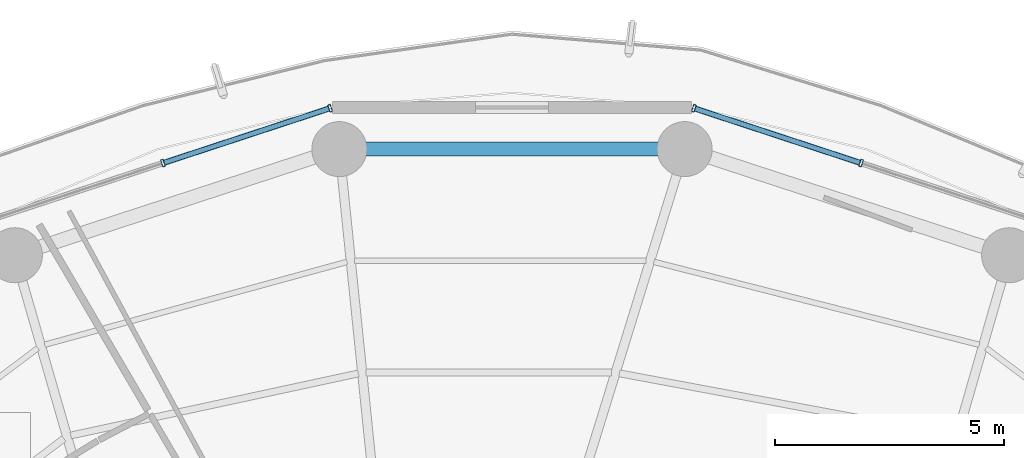
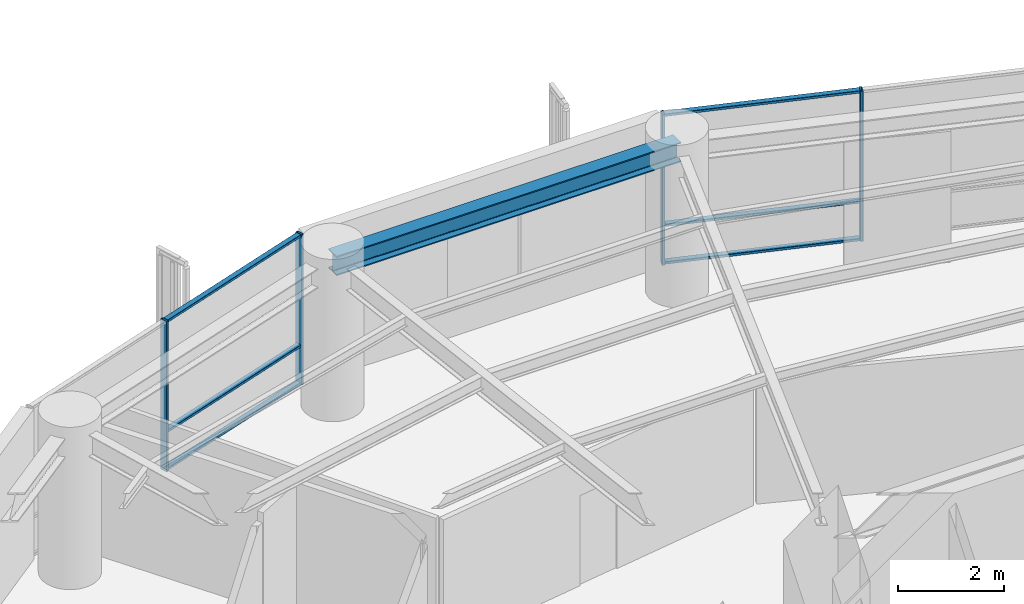
# One storey, part 18 of 27: 10 members, 1 beam, 2 elements without a shape of their own.
"""IFC4 building model written with IfcOpenShell, lengths in metres."""

from ifc_helpers import new_model, si_unit, direction, frame, origin, origin_2d, place, context, subcontext, project, spatial, hollow_rectangle, i_section, extrude, material, layer, layer_set, material_profile, profile_set, type_object, element, aggregate, save


model = new_model("IFC4")

# Units and contexts
model_context = context("Model", 3, precision=1e-05, world=origin(), true_north=direction((0.0, 1.0)))
body_context = subcontext(model_context, "Body", "Model", "MODEL_VIEW")
ifc_project = project(units=[si_unit("LENGTHUNIT", "METRE"), si_unit("AREAUNIT", "SQUARE_METRE"), si_unit("VOLUMEUNIT", "CUBIC_METRE"), si_unit("PLANEANGLEUNIT", "RADIAN"), si_unit("MASSUNIT", "GRAM", prefix="KILO")], contexts=[model_context])

# Site, building, storey
site_placement = place(None, origin())
site = spatial("IfcSite", under=ifc_project, at=site_placement, CompositionType="ELEMENT")
building_placement = place(site_placement, origin())
building = spatial("IfcBuilding", under=site, at=building_placement, Name="Kelanora Arch Commons", CompositionType="ELEMENT")
storey_placement = place(building_placement, frame((0.0, 0.0, 146.85009765625)))
storey = spatial("IfcBuildingStorey", under=building, at=storey_placement, Name="L37", CompositionType="ELEMENT", Elevation=146.85009765625)

# Beam
ifc_material_1 = material(Name="Steel S355", Category="steel")
ifc_material_profile_1 = material_profile(ifc_material_1, i_section(OverallWidth=0.300048828125, OverallDepth=0.449951171875, WebThickness=0.013916015625, FlangeThickness=0.02587890625, FilletRadius=0.027099609375, at=origin_2d()), Name="HEB450")
ifc_profile_set_1 = profile_set([ifc_material_profile_1], Name="Steel S355")
beam_type = type_object("IfcBeamType", Name="BM-SPN-Z3", PredefinedType="SPANDREL", material=ifc_profile_set_1)
beam_placement = place(storey_placement, frame((77.7646484375, 77.18408203125, 3.264892578125), z_axis=(-1.0, 0.0, 0.0), x_axis=(0.0, -1.0, 0.0)))
element("IfcBeam", 1, at=beam_placement, inside=storey, type_object=beam_type, Name="Perimeter Spandrel Beam BS-08 L37", PredefinedType="SPANDREL", context=body_context, shape_type="SweptSolid", body=[
    extrude(i_section(OverallWidth=0.300048828125, OverallDepth=0.449951171875, WebThickness=0.013916015625, FlangeThickness=0.02587890625, FilletRadius=0.027099609375, at=origin_2d()), origin(), (0.0, 0.0, 1.0), 7.529296875),
])

# Curtain wall, members
ifc_material_2 = material(Name="Terracotta ceramic-fritted low-E glass and aluminium", Category="masonry")
ifc_layer = layer(ifc_material_2, 0.175048828125)
ifc_layer_set = layer_set([ifc_layer], Name="Terracotta ceramic-fritted low-E glass and aluminium")
curtain_wall_type = type_object("IfcCurtainWallType", Name="CW-SYS-02", PredefinedType="NOTDEFINED", material=ifc_layer_set)
curtain_wall_1_placement = place(storey_placement, origin())
curtain_wall_1 = element("IfcCurtainWall", 2, at=curtain_wall_1_placement, inside=storey, type_object=curtain_wall_type, Name="Unitised Curtain Wall L37-B03", PredefinedType="NOTDEFINED")
ifc_material_3 = material(Name="Powder-coated aluminium terracotta", Category="masonry")
ifc_material_profile_2 = material_profile(ifc_material_3, hollow_rectangle(XDim=0.159912109375, YDim=0.06005859375, WallThickness=0.0048828125, InnerFilletRadius=0.0048828125, OuterFilletRadius=0.010009765625, at=origin_2d()), Name="CWM160x60")
ifc_profile_set_2 = profile_set([ifc_material_profile_2], Name="Powder-coated aluminium terracotta")
member_type_1 = type_object("IfcMemberType", Name="CWM-STD", PredefinedType="MULLION", material=ifc_profile_set_2)
member_1_placement = place(storey_placement, frame((81.6123046875, 76.87841796875, 0.0), z_axis=(0.0, 0.0, 1.0), x_axis=(-0.312128279571, -0.95003996605, 0.0)))
member_1 = element("IfcMember", 3, at=member_1_placement, type_object=member_type_1, Name="CW-02 mullion 2", PredefinedType="MULLION", context=body_context, shape_type="SweptSolid", body=[
    extrude(hollow_rectangle(XDim=0.159912109375, YDim=0.06005859375, WallThickness=0.0048828125, InnerFilletRadius=0.0048828125, OuterFilletRadius=0.010009765625, at=origin_2d()), origin(), (0.0, 0.0, 1.0), 3.474853515625),
])
member_2_placement = place(storey_placement, frame((77.96728515625, 78.075927734375, 0.0), z_axis=(0.0, 0.0, 1.0), x_axis=(-0.312128279571, -0.95003996605, 0.0)))
member_2 = element("IfcMember", 4, at=member_2_placement, type_object=member_type_1, Name="CW-02 mullion 3", PredefinedType="MULLION", context=body_context, shape_type="SweptSolid", body=[
    extrude(hollow_rectangle(XDim=0.159912109375, YDim=0.06005859375, WallThickness=0.0048828125, InnerFilletRadius=0.0048828125, OuterFilletRadius=0.010009765625, at=origin_2d()), origin(), (0.0, 0.0, 1.0), 3.474853515625),
])

curtain_wall_2_placement = place(storey_placement, origin())
curtain_wall_2 = element("IfcCurtainWall", 5, at=curtain_wall_2_placement, inside=storey, type_object=curtain_wall_type, Name="Unitised Curtain Wall L37-B05", PredefinedType="NOTDEFINED")
member_3_placement = place(storey_placement, frame((70.03271484375, 78.075927734375, 0.0), z_axis=(0.0, 0.0, 1.0), x_axis=(0.312128279571, -0.95003996605, 0.0)))
member_3 = element("IfcMember", 6, at=member_3_placement, type_object=member_type_1, Name="CW-02 mullion 1", PredefinedType="MULLION", context=body_context, shape_type="SweptSolid", body=[
    extrude(hollow_rectangle(XDim=0.159912109375, YDim=0.06005859375, WallThickness=0.0048828125, InnerFilletRadius=0.0048828125, OuterFilletRadius=0.010009765625, at=origin_2d()), origin(), (0.0, 0.0, 1.0), 3.474853515625),
])
member_4_placement = place(storey_placement, frame((66.3876953125, 76.87841796875, 0.0), z_axis=(0.0, 0.0, 1.0), x_axis=(0.312128279571, -0.95003996605, 0.0)))
member_4 = element("IfcMember", 7, at=member_4_placement, type_object=member_type_1, Name="CW-02 mullion 2", PredefinedType="MULLION", context=body_context, shape_type="SweptSolid", body=[
    extrude(hollow_rectangle(XDim=0.159912109375, YDim=0.06005859375, WallThickness=0.0048828125, InnerFilletRadius=0.0048828125, OuterFilletRadius=0.010009765625, at=origin_2d()), origin(), (0.0, 0.0, 1.0), 3.474853515625),
])

# Member
ifc_material_profile_3 = material_profile(ifc_material_3, hollow_rectangle(XDim=0.1201171875, YDim=0.06005859375, WallThickness=0.0048828125, InnerFilletRadius=0.0048828125, OuterFilletRadius=0.010009765625, at=origin_2d()), Name="CWT120x60")
ifc_profile_set_3 = profile_set([ifc_material_profile_3], Name="Powder-coated aluminium terracotta")
member_type_2 = type_object("IfcMemberType", Name="CWT-STD", PredefinedType="USERDEFINED", material=ifc_profile_set_3)
member_5_placement = place(storey_placement, frame((81.583740234375, 76.887939453125, 0.02978515625), z_axis=(-0.950051191155, 0.312094111104, 0.0), x_axis=(-0.312094111104, -0.950051191155, 0.0)))
member_5 = element("IfcMember", 8, at=member_5_placement, type_object=member_type_2, Name="CW-02 transom 2.1", ObjectType="TRANSOM", PredefinedType="USERDEFINED", context=body_context, shape_type="SweptSolid", body=[
    extrude(hollow_rectangle(XDim=0.1201171875, YDim=0.06005859375, WallThickness=0.0048828125, InnerFilletRadius=0.0048828125, OuterFilletRadius=0.010009765625, at=origin_2d()), origin(), (0.0, 0.0, 1.0), 3.77685546875),
])

member_6_placement = place(storey_placement, frame((81.583740234375, 76.887939453125, 0.89990234375), z_axis=(-0.950051191155, 0.312094111104, 0.0), x_axis=(-0.312094111104, -0.950051191155, 0.0)))
member_6 = element("IfcMember", 9, at=member_6_placement, type_object=member_type_2, Name="CW-02 transom 2.2", ObjectType="TRANSOM", PredefinedType="USERDEFINED", context=body_context, shape_type="SweptSolid", body=[
    extrude(hollow_rectangle(XDim=0.1201171875, YDim=0.06005859375, WallThickness=0.0048828125, InnerFilletRadius=0.0048828125, OuterFilletRadius=0.010009765625, at=origin_2d()), origin(), (0.0, 0.0, 1.0), 3.77685546875),
])

member_7_placement = place(storey_placement, frame((81.583740234375, 76.887939453125, 3.44482421875), z_axis=(-0.950051191155, 0.312094111104, 0.0), x_axis=(-0.312094111104, -0.950051191155, 0.0)))
member_7 = element("IfcMember", 10, at=member_7_placement, type_object=member_type_2, Name="CW-02 transom 2.3", ObjectType="TRANSOM", PredefinedType="USERDEFINED", context=body_context, shape_type="SweptSolid", body=[
    extrude(hollow_rectangle(XDim=0.1201171875, YDim=0.06005859375, WallThickness=0.0048828125, InnerFilletRadius=0.0048828125, OuterFilletRadius=0.010009765625, at=origin_2d()), origin(), (0.0, 0.0, 1.0), 3.77685546875),
])

aggregate(curtain_wall_1, [member_1, member_2, member_5, member_6, member_7])

member_8_placement = place(storey_placement, frame((70.00439453125, 78.066650390625, 0.02978515625), z_axis=(-0.950051191155, -0.312094111104, 0.0), x_axis=(0.312094111104, -0.950051191155, 0.0)))
member_8 = element("IfcMember", 11, at=member_8_placement, type_object=member_type_2, Name="CW-02 transom 1.1", ObjectType="TRANSOM", PredefinedType="USERDEFINED", context=body_context, shape_type="SweptSolid", body=[
    extrude(hollow_rectangle(XDim=0.1201171875, YDim=0.06005859375, WallThickness=0.0048828125, InnerFilletRadius=0.0048828125, OuterFilletRadius=0.010009765625, at=origin_2d()), origin(), (0.0, 0.0, 1.0), 3.77685546875),
])

member_9_placement = place(storey_placement, frame((70.00439453125, 78.066650390625, 0.89990234375), z_axis=(-0.950051191155, -0.312094111104, 0.0), x_axis=(0.312094111104, -0.950051191155, 0.0)))
member_9 = element("IfcMember", 12, at=member_9_placement, type_object=member_type_2, Name="CW-02 transom 1.2", ObjectType="TRANSOM", PredefinedType="USERDEFINED", context=body_context, shape_type="SweptSolid", body=[
    extrude(hollow_rectangle(XDim=0.1201171875, YDim=0.06005859375, WallThickness=0.0048828125, InnerFilletRadius=0.0048828125, OuterFilletRadius=0.010009765625, at=origin_2d()), origin(), (0.0, 0.0, 1.0), 3.77685546875),
])

member_10_placement = place(storey_placement, frame((70.00439453125, 78.066650390625, 3.44482421875), z_axis=(-0.950051191155, -0.312094111104, 0.0), x_axis=(0.312094111104, -0.950051191155, 0.0)))
member_10 = element("IfcMember", 13, at=member_10_placement, type_object=member_type_2, Name="CW-02 transom 1.3", ObjectType="TRANSOM", PredefinedType="USERDEFINED", context=body_context, shape_type="SweptSolid", body=[
    extrude(hollow_rectangle(XDim=0.1201171875, YDim=0.06005859375, WallThickness=0.0048828125, InnerFilletRadius=0.0048828125, OuterFilletRadius=0.010009765625, at=origin_2d()), origin(), (0.0, 0.0, 1.0), 3.77685546875),
])

aggregate(curtain_wall_2, [member_3, member_4, member_8, member_9, member_10])

save(model, "model.ifc")
